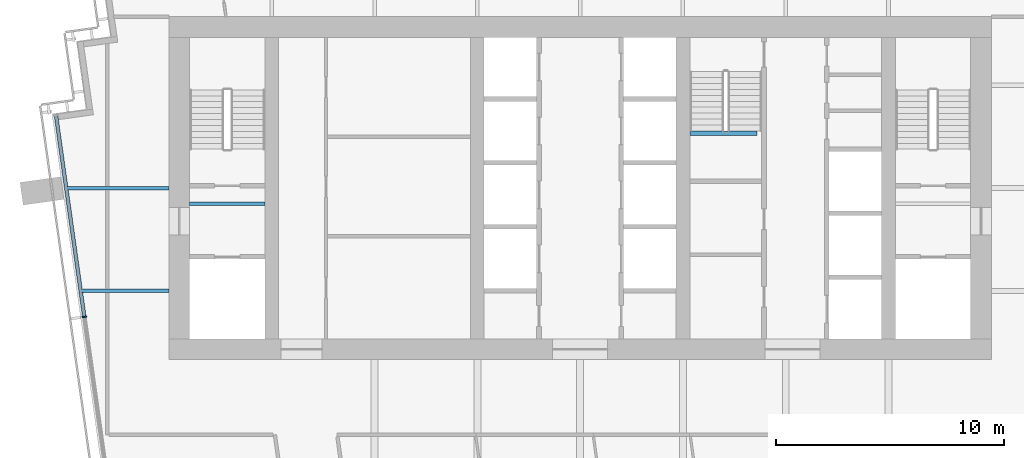
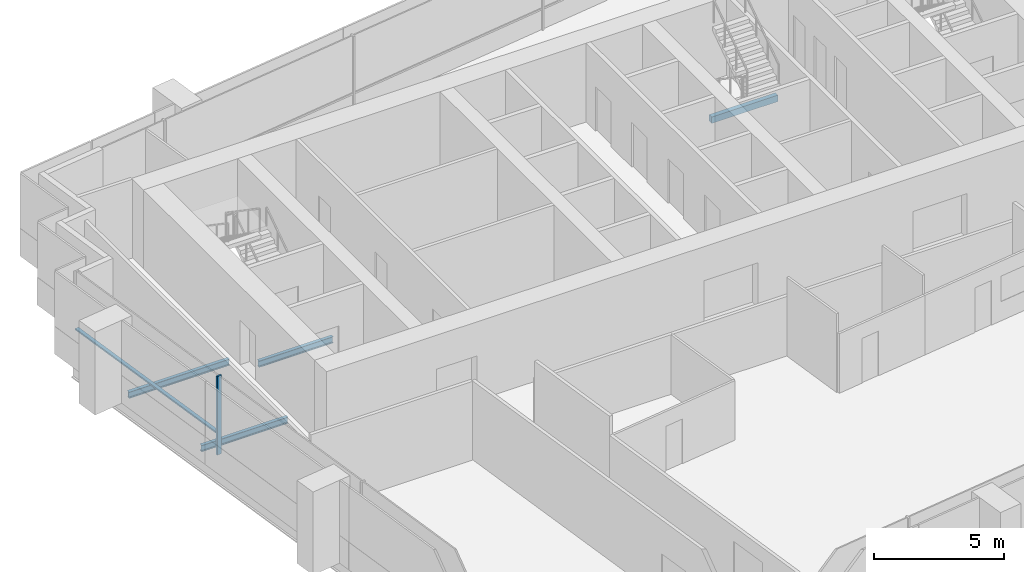
# One storey, part 4 of 17: 4 beams, 2 members, 1 element without a shape of its own.
"""IFC4 building model written with IfcOpenShell, lengths in metres."""

from ifc_helpers import new_model, si_unit, direction, frame, origin, origin_2d, place, context, subcontext, project, spatial, rectangle, i_section, extrude, material, layer, layer_set, material_profile, profile_set, type_object, element, aggregate, save


model = new_model("IFC4")

# Units and contexts
model_context = context("Model", 3, precision=1e-05, world=origin(), true_north=direction((0.0, 1.0)))
body_context = subcontext(model_context, "Body", "Model", "MODEL_VIEW")
ifc_project = project(units=[si_unit("LENGTHUNIT", "METRE"), si_unit("AREAUNIT", "SQUARE_METRE"), si_unit("VOLUMEUNIT", "CUBIC_METRE"), si_unit("PLANEANGLEUNIT", "RADIAN"), si_unit("MASSUNIT", "GRAM", prefix="KILO")], contexts=[model_context])

# Site, building, storey
site_placement = place(None, origin())
site = spatial("IfcSite", under=ifc_project, at=site_placement, CompositionType="ELEMENT")
building_placement = place(site_placement, origin())
building = spatial("IfcBuilding", under=site, at=building_placement, Name="Rattan Terrace Tower", CompositionType="ELEMENT")
storey_placement = place(building_placement, frame((0.0, 0.0, 221.300048828125)))
storey = spatial("IfcBuildingStorey", under=building, at=storey_placement, Name="L50", CompositionType="ELEMENT", Elevation=221.300048828125)

# Beams
ifc_material_1 = material(Name="Concrete C40/50", Category="concrete")
ifc_material_profile_1 = material_profile(ifc_material_1, rectangle(XDim=0.199951171875, YDim=0.300048828125, at=origin_2d()), Name="RC 200x300")
ifc_profile_set_1 = profile_set([ifc_material_profile_1], Name="Concrete C40/50")
beam_type_1 = type_object("IfcBeamType", Name="Core landing beam RC 200x300", PredefinedType="BEAM", material=ifc_profile_set_1)
beam_1_placement = place(storey_placement, frame((4.800048828125, 2.39990234375, 1.599853515625), z_axis=(1.0, 0.0, 0.0), x_axis=(0.0, 1.0, 0.0)))
element("IfcBeam", 1, at=beam_1_placement, inside=storey, type_object=beam_type_1, Name="st-S3-L50 landing 1 edge beam", PredefinedType="BEAM", context=body_context, shape_type="SweptSolid", body=[
    extrude(rectangle(XDim=0.199951171875, YDim=0.300048828125, at=origin_2d()), origin(), (0.0, 0.0, 1.0), 2.949951171875),
])
ifc_material_2 = material(Name="Steel S355", Category="steel")
ifc_material_profile_2 = material_profile(ifc_material_2, i_section(OverallWidth=0.14990234375, OverallDepth=0.300048828125, WebThickness=0.007080078125, FlangeThickness=0.0107421875, FilletRadius=0.014892578125, at=origin_2d()), Name="IPE 300")
ifc_profile_set_2 = profile_set([ifc_material_profile_2], Name="Steel S355")
beam_type_2 = type_object("IfcBeamType", Name="Frame floor beam IPE 300", PredefinedType="JOIST", material=ifc_profile_set_2)
beam_2_placement = place(storey_placement, frame((-17.10009765625, -0.695068359375, -0.35009765625), z_axis=(1.0, 0.0, 0.0), x_axis=(0.0, 1.0, 0.0)))
element("IfcBeam", 2, at=beam_2_placement, inside=storey, type_object=beam_type_2, Name="bm-L50-001", PredefinedType="JOIST", context=body_context, shape_type="SweptSolid", body=[
    extrude(i_section(OverallWidth=0.14990234375, OverallDepth=0.300048828125, WebThickness=0.007080078125, FlangeThickness=0.0107421875, FilletRadius=0.014892578125, at=origin_2d()), origin(), (0.0, 0.0, 1.0), 3.300048828125),
])
beam_3_placement = place(storey_placement, frame((-21.844970703125, -4.5, -0.35009765625), z_axis=(1.0, 0.0, 0.0), x_axis=(0.0, 1.0, 0.0)))
element("IfcBeam", 3, at=beam_3_placement, inside=storey, type_object=beam_type_2, Name="bm-L50-009", PredefinedType="JOIST", context=body_context, shape_type="SweptSolid", body=[
    extrude(i_section(OverallWidth=0.14990234375, OverallDepth=0.300048828125, WebThickness=0.007080078125, FlangeThickness=0.0107421875, FilletRadius=0.014892578125, at=origin_2d()), origin(), (0.0, 0.0, 1.0), 3.844970703125),
])
beam_4_placement = place(storey_placement, frame((-22.47705078125, 0.0, -0.35009765625), z_axis=(1.0, 0.0, 0.0), x_axis=(0.0, 1.0, 0.0)))
element("IfcBeam", 4, at=beam_4_placement, inside=storey, type_object=beam_type_2, Name="bm-L50-011", PredefinedType="JOIST", context=body_context, shape_type="SweptSolid", body=[
    extrude(i_section(OverallWidth=0.14990234375, OverallDepth=0.300048828125, WebThickness=0.007080078125, FlangeThickness=0.0107421875, FilletRadius=0.014892578125, at=origin_2d()), origin(), (0.0, 0.0, 1.0), 4.47705078125),
])

# Curtain wall, members
ifc_material_3 = material(Name="Aluminium and laminated glass", Category="aluminium")
ifc_layer = layer(ifc_material_3, 0.199951171875)
ifc_layer_set = layer_set([ifc_layer], Name="High-Zone Unitised Curtain Wall")
curtain_wall_type = type_object("IfcCurtainWallType", Name="High-Zone Unitised Curtain Wall", PredefinedType="NOTDEFINED", material=ifc_layer_set)
curtain_wall_placement = place(storey_placement, origin())
curtain_wall = element("IfcCurtainWall", 5, at=curtain_wall_placement, inside=storey, type_object=curtain_wall_type, Name="High-zone curtain wall L50-3", PredefinedType="NOTDEFINED")
ifc_material_4 = material(Name="Aluminium", Category="aluminium")
ifc_material_profile_3 = material_profile(ifc_material_4, rectangle(XDim=0.070068359375, YDim=0.199951171875, at=origin_2d()), Name="Aluminium 70x200")
ifc_profile_set_3 = profile_set([ifc_material_profile_3], Name="Aluminium")
member_type_1 = type_object("IfcMemberType", Name="High-Zone CW Mullion 70x200", PredefinedType="MULLION", material=ifc_profile_set_3)
member_1_placement = place(storey_placement, frame((-21.705078125, -5.638671875, 0.0), z_axis=(0.0, 0.0, 1.0), x_axis=(0.139186165309, -0.990266232579, 0.0)))
member_1 = element("IfcMember", 6, at=member_1_placement, type_object=member_type_1, Name="Mullion cwl-L50-003.2", PredefinedType="MULLION", context=body_context, shape_type="SweptSolid", body=[
    extrude(rectangle(XDim=0.070068359375, YDim=0.199951171875, at=origin_2d()), origin(), (0.0, 0.0, 1.0), 3.699951171875),
])
ifc_material_5 = material(Name="Aluminium", Category="aluminium")
ifc_material_profile_4 = material_profile(ifc_material_5, rectangle(XDim=0.159912109375, YDim=0.070068359375, at=origin_2d()), Name="Aluminium 160x70")
ifc_profile_set_4 = profile_set([ifc_material_profile_4], Name="Aluminium")
member_type_2 = type_object("IfcMemberType", Name="High-Zone CW Transom 160x70", PredefinedType="USERDEFINED", material=ifc_profile_set_4)
member_2_placement = place(storey_placement, frame((-22.941650390625, 3.159912109375, 1.0), z_axis=(0.139173253985, -0.990268047235, 0.0), x_axis=(0.990268047235, 0.139173253985, 0.0)))
member_2 = element("IfcMember", 7, at=member_2_placement, type_object=member_type_2, Name="Transom cwl-L50-003.1", ObjectType="TRANSOM", PredefinedType="USERDEFINED", context=body_context, shape_type="SweptSolid", body=[
    extrude(rectangle(XDim=0.159912109375, YDim=0.070068359375, at=origin_2d()), origin(), (0.0, 0.0, 1.0), 8.85009765625),
])
aggregate(curtain_wall, [member_1, member_2])

save(model, "model.ifc")
